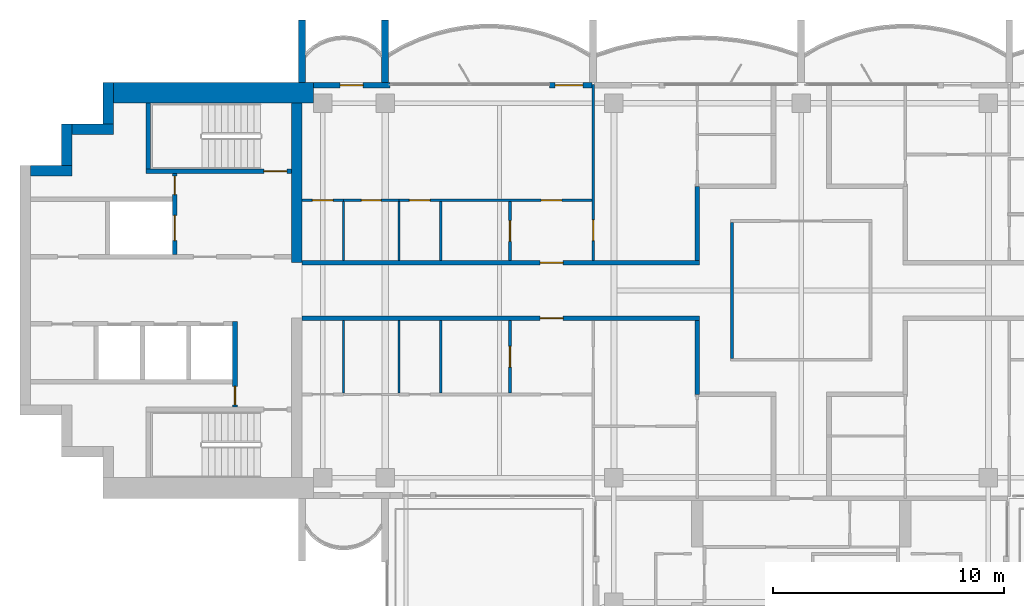
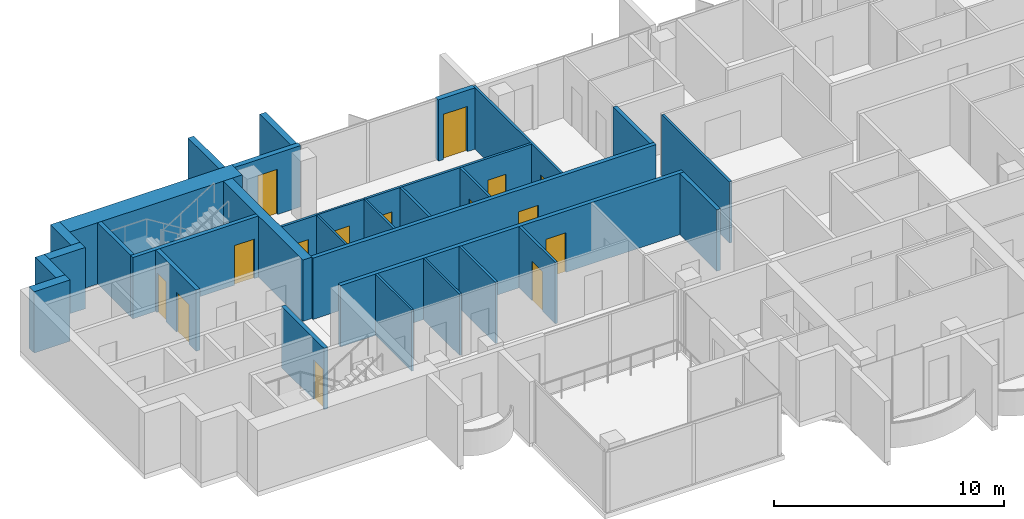
# One storey, part 8 of 16: 31 walls, 15 doors, 15 openings.
"""IFC4 building model written with IfcOpenShell, lengths in metres."""

import ifcopenshell
import ifcopenshell.guid

model = None  # the IFC model being written
_history = None  # IfcOwnerHistory: only IFC2X3 demands one
_inside = {}  # id of a spatial element -> (the spatial element, [elements in it])
_under = {}  # id of a project, library or spatial element -> (it, [spatial elements below it])
_declared = {}  # id of a project -> (the project, [libraries it declares])
_typed = {}  # id of a type object -> (the type object, [elements of that type])
_made_of = {}  # id of a material, layer set ... -> (it, [elements and type objects made of it])


def new_model(schema):
    """Start an empty IFC model of exactly this schema.

    Asked for "IFC4X3", IfcOpenShell would pick the latest addendum, in which some entities
    have other attributes; the version numbers below select the first issue.
    IFC2X3 requires an IfcOwnerHistory on every rooted entity: one is made here for all.
    """
    global model, _history
    if schema == "IFC4X3":
        model = ifcopenshell.file(schema_version=(4, 3, 0, 0))
    else:
        model = ifcopenshell.file(schema=schema)
    _inside.clear()
    _under.clear()
    _declared.clear()
    _typed.clear()
    _made_of.clear()
    _history = None
    if model.schema == "IFC2X3":
        org = make("IfcOrganization", Name="unknown")
        user = make(
            "IfcPersonAndOrganization",
            ThePerson=make("IfcPerson", FamilyName="unknown"),
            TheOrganization=org,
        )
        app = make(
            "IfcApplication",
            ApplicationDeveloper=org,
            Version="unknown",
            ApplicationFullName="unknown",
            ApplicationIdentifier="unknown",
        )
        _history = make(
            "IfcOwnerHistory",
            OwningUser=user,
            OwningApplication=app,
            ChangeAction="ADDED",
            CreationDate=0,
        )
    return model


def make(cls, **values):
    """One entity of the class cls with the attributes given. An attribute that is None is left unset."""
    return model.create_entity(
        cls, **{name: value for name, value in values.items() if value is not None}
    )


def rooted(cls, **values):
    """An entity with a GlobalId (a new one), such as an element, a storey or a relation."""
    return make(cls, GlobalId=ifcopenshell.guid.new(), OwnerHistory=_history, **values)


def si_unit(unit_type, name, prefix=None):
    """IfcSIUnit, for example si_unit("LENGTHUNIT", "METRE", prefix="MILLI")."""
    return make("IfcSIUnit", UnitType=unit_type, Prefix=prefix, Name=name)


def assignment(units):
    """IfcUnitAssignment: the units of a project."""
    return None if units is None else make("IfcUnitAssignment", Units=units)


def point(xyz):
    """IfcCartesianPoint."""
    return None if xyz is None else make("IfcCartesianPoint", Coordinates=xyz)


def direction(xyz):
    """IfcDirection."""
    return None if xyz is None else make("IfcDirection", DirectionRatios=xyz)


def frame(location, z_axis=None, x_axis=None):
    """IfcAxis2Placement3D, a coordinate frame: its origin and axes. An axis left out is left unset."""
    return make(
        "IfcAxis2Placement3D",
        Location=point(location),
        Axis=direction(z_axis),
        RefDirection=direction(x_axis),
    )


def frame_2d(location, x_axis=None):
    """IfcAxis2Placement2D, a coordinate frame in the plane: its origin and x axis."""
    return make(
        "IfcAxis2Placement2D", Location=point(location), RefDirection=direction(x_axis)
    )


def origin():
    """The frame at (0, 0, 0) with its axes left unset."""
    return frame((0.0, 0.0, 0.0))


def place(relative_to, where):
    """IfcLocalPlacement: puts the frame where relative to a parent placement (None: the world)."""
    return make(
        "IfcLocalPlacement", PlacementRelTo=relative_to, RelativePlacement=where
    )


def context(
    kind, dimensions, precision=None, world=None, true_north=None, identifier=None
):
    """IfcGeometricRepresentationContext, for example the 3D "Model" context."""
    return make(
        "IfcGeometricRepresentationContext",
        ContextIdentifier=identifier,
        ContextType=kind,
        CoordinateSpaceDimension=dimensions,
        Precision=precision,
        WorldCoordinateSystem=world,
        TrueNorth=true_north,
    )


def subcontext(parent, identifier, kind, view, scale=None):
    """IfcGeometricRepresentationSubContext, for example "Body" below "Model"."""
    return make(
        "IfcGeometricRepresentationSubContext",
        ContextIdentifier=identifier,
        ContextType=kind,
        ParentContext=parent,
        TargetScale=scale,
        TargetView=view,
    )


def project(units=None, contexts=None):
    """IfcProject with its units and contexts."""
    return rooted(
        "IfcProject",
        Name="project",
        RepresentationContexts=contexts,
        UnitsInContext=assignment(units),
    )


def spatial(cls, under=None, at=None, **own):
    """A site, building, storey or space (cls), placed at a placement, below another one or the project."""
    s = rooted(cls, ObjectPlacement=at, **own)
    if under is not None:
        _under.setdefault(under.id(), (under, []))[1].append(s)
    return s


def profile(cls, at=None, kind="AREA", **sizes):
    """A parametric profile (cls). Its sizes go by their IFC names, for example OverallWidth=200.0."""
    return make(cls, ProfileType=kind, Position=at, **sizes)


def rectangle(**sizes):
    """IfcRectangleProfileDef."""
    return profile("IfcRectangleProfileDef", **sizes)


def extrude(swept, where, along, depth):
    """IfcExtrudedAreaSolid: the profile swept, set in the frame where, extruded along a direction by depth."""
    return make(
        "IfcExtrudedAreaSolid",
        SweptArea=swept,
        Position=where,
        ExtrudedDirection=direction(along),
        Depth=depth,
    )


def shape(context_of_items, identifier, shape_type, items):
    """IfcShapeRepresentation: the items that make up one representation, for example the "Body"."""
    return make(
        "IfcShapeRepresentation",
        ContextOfItems=context_of_items,
        RepresentationIdentifier=identifier,
        RepresentationType=shape_type,
        Items=items,
    )


def material(Name=None, Category=None):
    """IfcMaterial."""
    return make("IfcMaterial", Name=Name, Category=Category)


def layer(
    of_material, thickness, ventilated=None, Name=None, Category=None, Priority=None
):
    """IfcMaterialLayer: one layer of a wall or slab, of a material (None: an air gap)."""
    return make(
        "IfcMaterialLayer",
        Material=of_material,
        LayerThickness=thickness,
        IsVentilated=ventilated,
        Name=Name,
        Category=Category,
        Priority=Priority,
    )


def layer_set(layers, Name=None):
    """IfcMaterialLayerSet."""
    return make("IfcMaterialLayerSet", MaterialLayers=layers, LayerSetName=Name)


def made_of(thing, what):
    """Note that an element or type object is made of a material, layer set ...; save() writes the relation."""
    if what is not None:
        _made_of.setdefault(what.id(), (what, []))[1].append(thing)
    return thing


def type_object(cls, material=None, **own):
    """A type object (cls), such as IfcWallType, which elements share."""
    return made_of(rooted(cls, **own), material)


def element(
    cls,
    number,
    at=None,
    inside=None,
    cuts=None,
    type_object=None,
    material=None,
    context=None,
    identifier="Body",
    shape_type=None,
    held_by="IfcProductDefinitionShape",
    body=None,
    shapes=None,
    **own,
):
    """One element of the class cls, such as IfcWall. Its Tag is "e" and its number.

    at: its placement. inside: the storey or other place that contains it. cuts: it is an
    opening in that element (IfcRelVoidsElement). A single representation is given by context,
    identifier, shape_type and body (its items); several are given by shapes. held_by: the class
    of the entity that holds the representations. save() writes the other relations.
    """
    e = rooted(cls, Tag="e%d" % number, ObjectPlacement=at, **own)
    if body is not None:
        shapes = [shape(context, identifier, shape_type, body)]
    if shapes is not None:
        e.Representation = make(held_by, Representations=shapes)
    if inside is not None:
        _inside.setdefault(inside.id(), (inside, []))[1].append(e)
    if cuts is not None:
        rooted(
            "IfcRelVoidsElement", RelatingBuildingElement=cuts, RelatedOpeningElement=e
        )
    if type_object is not None:
        _typed.setdefault(type_object.id(), (type_object, []))[1].append(e)
    return made_of(e, material)


def fill(opening, filler):
    """IfcRelFillsElement: the door or window that sits in an opening."""
    return rooted(
        "IfcRelFillsElement",
        RelatingOpeningElement=opening,
        RelatedBuildingElement=filler,
    )


def aggregate(whole, parts):
    """IfcRelAggregates: a whole, such as a stair, and the parts it consists of."""
    return rooted("IfcRelAggregates", RelatingObject=whole, RelatedObjects=parts)


def save(model, path):
    """Write the relations noted so far, then the file.

    IfcRelAggregates (storeys below a building ...), IfcRelContainedInSpatialStructure (elements
    in a storey), IfcRelDefinesByType, IfcRelAssociatesMaterial and IfcRelDeclares: one each for
    every whole, place, type object, material and project.
    """
    for whole, parts in _under.values():
        aggregate(whole, parts)
    for where, things in _inside.values():
        rooted(
            "IfcRelContainedInSpatialStructure",
            RelatedElements=things,
            RelatingStructure=where,
        )
    for kind, things in _typed.values():
        rooted("IfcRelDefinesByType", RelatedObjects=things, RelatingType=kind)
    for what, things in _made_of.values():
        rooted("IfcRelAssociatesMaterial", RelatedObjects=things, RelatingMaterial=what)
    for by, libraries in _declared.values():
        rooted("IfcRelDeclares", RelatingContext=by, RelatedDefinitions=libraries)
    model.write(path)


model = new_model("IFC4")

# Units and contexts
model_context = context("Model", 3, precision=1e-05, world=origin(), true_north=direction((0.0, 1.0)))
body_context = subcontext(model_context, "Body", "Model", "MODEL_VIEW")
ifc_project = project(units=[si_unit("LENGTHUNIT", "METRE"), si_unit("AREAUNIT", "SQUARE_METRE"), si_unit("VOLUMEUNIT", "CUBIC_METRE"), si_unit("PLANEANGLEUNIT", "RADIAN"), si_unit("MASSUNIT", "GRAM", prefix="KILO")], contexts=[model_context])

# Site, building, storey
site_placement = place(None, origin())
site = spatial("IfcSite", under=ifc_project, at=site_placement, CompositionType="ELEMENT")
building_placement = place(site_placement, origin())
building = spatial("IfcBuilding", under=site, at=building_placement, Name="Perihelion Cross Residences", CompositionType="ELEMENT")
storey_placement = place(building_placement, frame((0.0, 0.0, 274.5)))
storey = spatial("IfcBuildingStorey", under=building, at=storey_placement, Name="L70", CompositionType="ELEMENT", Elevation=274.5)

# Wall, opening, door
ifc_material_1 = material(Name="Plasterboard partition")
ifc_layer_1 = layer(ifc_material_1, 0.199951171875)
ifc_layer_set_1 = layer_set([ifc_layer_1], Name="Apartment separation wall 200")
wall_type_1 = type_object("IfcWallType", Name="Apartment separation wall 200", PredefinedType="PARTITIONING", material=ifc_layer_set_1)
wall_1_placement = place(storey_placement, frame((-21.60009765625, 1.199951171875, 0.0), z_axis=(0.0, 0.0, 1.0), x_axis=(1.0, 0.0, 0.0)))
wall_1 = element("IfcWall", 1, at=wall_1_placement, inside=storey, type_object=wall_type_1, Name="Partition L70 W013", PredefinedType="PARTITIONING", context=body_context, shape_type="SweptSolid", body=[
    extrude(rectangle(XDim=17.2001953125, YDim=0.199951171875, at=frame_2d((8.60009765625, 0.0))), origin(), (0.0, 0.0, 1.0), 3.25),
])
opening_1_placement = place(wall_1_placement, frame((10.300048828125, 0.0, 0.0)))
opening_1 = element("IfcOpeningElement", 2, at=opening_1_placement, cuts=wall_1, Name="Opening L70.A44", PredefinedType="OPENING", context=body_context, shape_type="SweptSolid", body=[
    extrude(rectangle(XDim=1.0, YDim=2.10009765625, at=frame_2d((0.5, 1.050048828125))), frame((0.0, 0.10986328125, 0.0), z_axis=(0.0, -1.0, 0.0), x_axis=(1.0, 0.0, 0.0)), (0.0, 0.0, 1.0), 0.219970703125),
])
ifc_material_2 = material(Name="Timber door leaf", Category="wood")
door_type_1 = type_object("IfcDoorType", Name="Flat entrance door 1000 x 2100", OperationType="SINGLE_SWING_LEFT", PredefinedType="DOOR", material=ifc_material_2)
door_1_placement = place(opening_1_placement, origin())
door_1 = element("IfcDoor", 3, at=door_1_placement, inside=storey, type_object=door_type_1, Name="Door L70.A44", OperationType="SINGLE_SWING_RIGHT", OverallHeight=2.10009765625, OverallWidth=1.0, PredefinedType="DOOR", context=body_context, shape_type="SweptSolid", body=[
    extrude(rectangle(XDim=1.0, YDim=2.10009765625, at=frame_2d((0.5, 1.050048828125))), frame((0.0, 0.02490234375, 0.0), z_axis=(0.0, -1.0, 0.0), x_axis=(1.0, 0.0, 0.0)), (0.0, 0.0, 1.0), 0.050048828125),
])
fill(opening_1, door_1)

# Wall
wall_2_placement = place(storey_placement, frame((-4.5, 1.300048828125, 0.0), z_axis=(0.0, 0.0, 1.0), x_axis=(0.0, 1.0, 0.0)))
element("IfcWall", 4, at=wall_2_placement, inside=storey, type_object=wall_type_1, Name="Partition L70 W014", PredefinedType="PARTITIONING", context=body_context, shape_type="SweptSolid", body=[
    extrude(rectangle(XDim=3.199951171875, YDim=0.199951171875, at=frame_2d((1.60009765625, 0.0))), origin(), (0.0, 0.0, 1.0), 3.25),
])

# Wall, opening, door
wall_3_placement = place(storey_placement, frame((-4.39990234375, -1.199951171875, 0.0), z_axis=(0.0, 0.0, 1.0), x_axis=(-1.0, 0.0, 0.0)))
wall_3 = element("IfcWall", 5, at=wall_3_placement, inside=storey, type_object=wall_type_1, Name="Partition L70 W017", PredefinedType="PARTITIONING", context=body_context, shape_type="SweptSolid", body=[
    extrude(rectangle(XDim=17.2001953125, YDim=0.199951171875, at=frame_2d((8.60009765625, 0.0))), origin(), (0.0, 0.0, 1.0), 3.25),
])
opening_2_placement = place(wall_3_placement, frame((5.89990234375, 0.0, 0.0)))
opening_2 = element("IfcOpeningElement", 6, at=opening_2_placement, cuts=wall_3, Name="Opening L70.A45", PredefinedType="OPENING", context=body_context, shape_type="SweptSolid", body=[
    extrude(rectangle(XDim=1.0, YDim=2.10009765625, at=frame_2d((0.5, 1.050048828125))), frame((0.0, 0.10986328125, 0.0), z_axis=(0.0, -1.0, 0.0), x_axis=(1.0, 0.0, 0.0)), (0.0, 0.0, 1.0), 0.219970703125),
])
door_2_placement = place(opening_2_placement, origin())
door_2 = element("IfcDoor", 7, at=door_2_placement, inside=storey, type_object=door_type_1, Name="Door L70.A45", OperationType="SINGLE_SWING_RIGHT", OverallHeight=2.10009765625, OverallWidth=1.0, PredefinedType="DOOR", context=body_context, shape_type="SweptSolid", body=[
    extrude(rectangle(XDim=1.0, YDim=2.10009765625, at=frame_2d((0.5, 1.050048828125))), frame((0.0, 0.02490234375, 0.0), z_axis=(0.0, -1.0, 0.0), x_axis=(1.0, 0.0, 0.0)), (0.0, 0.0, 1.0), 0.050048828125),
])
fill(opening_2, door_2)

# Wall
wall_4_placement = place(storey_placement, frame((-4.5, -4.5, 0.0), z_axis=(0.0, 0.0, 1.0), x_axis=(0.0, 1.0, 0.0)))
element("IfcWall", 8, at=wall_4_placement, inside=storey, type_object=wall_type_1, Name="Partition L70 W018", PredefinedType="PARTITIONING", context=body_context, shape_type="SweptSolid", body=[
    extrude(rectangle(XDim=3.199951171875, YDim=0.199951171875, at=frame_2d((1.60009765625, 0.0))), origin(), (0.0, 0.0, 1.0), 3.25),
])

# Wall, opening, door
ifc_material_3 = material(Name="Concrete C30/37, bronze-clad", Category="concrete")
ifc_layer_2 = layer(ifc_material_3, 0.25)
ifc_layer_set_2 = layer_set([ifc_layer_2], Name="Bronze-clad pier wall 250")
wall_type_2 = type_object("IfcWallType", Name="Bronze-clad pier wall 250", PredefinedType="SOLIDWALL", material=ifc_layer_set_2)
wall_5_placement = place(storey_placement, frame((-9.06005859375, 8.875, 0.0), z_axis=(0.0, 0.0, 1.0), x_axis=(-1.0, 0.0, 0.0)))
wall_5 = element("IfcWall", 9, at=wall_5_placement, inside=storey, type_object=wall_type_2, Name="Wall FW1 L70 west side north bay 1 pier", PredefinedType="SOLIDWALL", context=body_context, shape_type="SweptSolid", body=[
    extrude(rectangle(XDim=1.83984375, YDim=0.25, at=frame_2d((0.919921875, 0.0))), origin(), (0.0, 0.0, 1.0), 3.25),
])
opening_3_placement = place(wall_5_placement, frame((0.389892578125, 0.0, 0.0)))
opening_3 = element("IfcOpeningElement", 10, at=opening_3_placement, cuts=wall_5, Name="Opening L70.E05", PredefinedType="OPENING", context=body_context, shape_type="SweptSolid", body=[
    extrude(rectangle(XDim=1.199951171875, YDim=2.39990234375, at=frame_2d((0.60009765625, 1.199951171875))), frame((0.0, 0.135009765625, 0.0), z_axis=(0.0, -1.0, 0.0), x_axis=(1.0, 0.0, 0.0)), (0.0, 0.0, 1.0), 0.27001953125),
])
ifc_material_4 = material(Name="Bronze anodised aluminium, glazed", Category="aluminium")
door_type_2 = type_object("IfcDoorType", Name="Balcony door 1200 x 2400", OperationType="NOTDEFINED", PredefinedType="DOOR", material=ifc_material_4)
door_3_placement = place(opening_3_placement, origin())
door_3 = element("IfcDoor", 11, at=door_3_placement, inside=storey, type_object=door_type_2, Name="Door L70.E05 west side north bay 1", OperationType="SINGLE_SWING_LEFT", OverallHeight=2.39990234375, OverallWidth=1.199951171875, PredefinedType="DOOR", context=body_context, shape_type="SweptSolid", body=[
    extrude(rectangle(XDim=1.199951171875, YDim=2.39990234375, at=frame_2d((0.60009765625, 1.199951171875))), frame((0.0, 0.02490234375, 0.0), z_axis=(0.0, -1.0, 0.0), x_axis=(1.0, 0.0, 0.0)), (0.0, 0.0, 1.0), 0.050048828125),
])
fill(opening_3, door_3)

wall_6_placement = place(storey_placement, frame((-17.800048828125, 8.875, 0.0), z_axis=(0.0, 0.0, 1.0), x_axis=(-1.0, 0.0, 0.0)))
wall_6 = element("IfcWall", 12, at=wall_6_placement, inside=storey, type_object=wall_type_2, Name="Wall FW1 L70 west side north bay 2 pier", PredefinedType="SOLIDWALL", context=body_context, shape_type="SweptSolid", body=[
    extrude(rectangle(XDim=3.300048828125, YDim=0.25, at=frame_2d((1.64990234375, 0.0))), origin(), (0.0, 0.0, 1.0), 3.25),
])
opening_4_placement = place(wall_6_placement, frame((1.14990234375, 0.0, 0.0)))
opening_4 = element("IfcOpeningElement", 13, at=opening_4_placement, cuts=wall_6, Name="Opening L70.E06", PredefinedType="OPENING", context=body_context, shape_type="SweptSolid", body=[
    extrude(rectangle(XDim=1.0, YDim=2.39990234375, at=frame_2d((0.5, 1.199951171875))), frame((0.0, 0.135009765625, 0.0), z_axis=(0.0, -1.0, 0.0), x_axis=(1.0, 0.0, 0.0)), (0.0, 0.0, 1.0), 0.27001953125),
])
ifc_material_5 = material(Name="Bronze anodised aluminium, glazed", Category="aluminium")
door_type_3 = type_object("IfcDoorType", Name="Balcony door 1000 x 2400", OperationType="NOTDEFINED", PredefinedType="DOOR", material=ifc_material_5)
door_4_placement = place(opening_4_placement, origin())
door_4 = element("IfcDoor", 14, at=door_4_placement, inside=storey, type_object=door_type_3, Name="Door L70.E06 west side north bay 2", OperationType="SINGLE_SWING_RIGHT", OverallHeight=2.39990234375, OverallWidth=1.0, PredefinedType="DOOR", context=body_context, shape_type="SweptSolid", body=[
    extrude(rectangle(XDim=1.0, YDim=2.39990234375, at=frame_2d((0.5, 1.199951171875))), frame((0.0, 0.02490234375, 0.0), z_axis=(0.0, -1.0, 0.0), x_axis=(1.0, 0.0, 0.0)), (0.0, 0.0, 1.0), 0.050048828125),
])
fill(opening_4, door_4)

# Walls
ifc_material_6 = material(Name="Concrete C60/75", Category="concrete")
ifc_layer_3 = layer(ifc_material_6, 0.449951171875)
ifc_layer_set_3 = layer_set([ifc_layer_3], Name="Core wall, inner 450")
wall_type_3 = type_object("IfcWallType", Name="Core wall, inner 450", PredefinedType="SHEAR", material=ifc_layer_set_3)
wall_7_placement = place(storey_placement, frame((-21.824951171875, 1.199951171875, 0.0), z_axis=(0.0, 0.0, 1.0), x_axis=(0.0, 1.0, 0.0)))
element("IfcWall", 15, at=wall_7_placement, inside=storey, type_object=wall_type_3, Name="West core core wall, inner", PredefinedType="SHEAR", context=body_context, shape_type="SweptSolid", body=[
    extrude(rectangle(XDim=6.900146484375, YDim=0.449951171875, at=frame_2d((3.4501953125, 0.0))), origin(), (0.0, 0.0, 1.0), 3.25),
])
ifc_material_7 = material(Name="Concrete C60/75", Category="concrete")
ifc_layer_4 = layer(ifc_material_7, 0.449951171875)
ifc_layer_set_4 = layer_set([ifc_layer_4], Name="Core wall, outer 450")
wall_type_4 = type_object("IfcWallType", Name="Core wall, outer 450", PredefinedType="SHEAR", material=ifc_layer_set_4)
for number, where, z_axis, x_axis, name in (
    (16, (-33.35009765625, 5.175048828125, 0.0), (0.0, 0.0, 1.0), (1.0, 0.0, 0.0), "West core core wall, outer"),
    (17, (-31.77490234375, 5.39990234375, 0.0), (0.0, 0.0, 1.0), (0.0, 1.0, 0.0), "West core core wall, outer"),
    (18, (-31.550048828125, 6.97509765625, 0.0), (0.0, 0.0, 1.0), (1.0, 0.0, 0.0), "West core core wall, outer"),
    (19, (-29.97509765625, 7.199951171875, 0.0), (0.0, 0.0, 1.0), (0.0, 1.0, 0.0), "West core core wall, outer"),
):
    element("IfcWall", number, at=place(storey_placement, frame(where, z_axis=z_axis, x_axis=x_axis)), inside=storey, type_object=wall_type_4, Name=name, PredefinedType="SHEAR", context=body_context, shape_type="SweptSolid", body=[
        extrude(rectangle(XDim=1.800048828125, YDim=0.449951171875, at=frame_2d((0.89990234375, 0.0))), origin(), (0.0, 0.0, 1.0), 3.25),
    ])
ifc_material_8 = material(Name="Concrete C60/75", Category="concrete")
ifc_layer_5 = layer(ifc_material_8, 0.89990234375)
ifc_layer_set_5 = layer_set([ifc_layer_5], Name="Core wall, outer 900")
wall_type_5 = type_object("IfcWallType", Name="Core wall, outer 900", PredefinedType="SHEAR", material=ifc_layer_set_5)
wall_8_placement = place(storey_placement, frame((-29.75, 8.550048828125, 0.0), z_axis=(0.0, 0.0, 1.0), x_axis=(1.0, 0.0, 0.0)))
element("IfcWall", 20, at=wall_8_placement, inside=storey, type_object=wall_type_5, Name="West core core wall, outer", PredefinedType="SHEAR", context=body_context, shape_type="SweptSolid", body=[
    extrude(rectangle(XDim=8.64990234375, YDim=0.89990234375, at=frame_2d((4.324951171875, 0.0))), origin(), (0.0, 0.0, 1.0), 3.25),
])

# Wall, opening, door
ifc_material_9 = material(Name="Concrete C50/60", Category="concrete")
ifc_layer_6 = layer(ifc_material_9, 0.199951171875)
ifc_layer_set_6 = layer_set([ifc_layer_6], Name="Lobby wall 200")
wall_type_6 = type_object("IfcWallType", Name="Lobby wall 200", PredefinedType="SOLIDWALL", material=ifc_layer_set_6)
wall_9_placement = place(storey_placement, frame((-24.5, -5.050048828125, 0.0), z_axis=(0.0, 0.0, 1.0), x_axis=(0.0, 1.0, 0.0)))
wall_9 = element("IfcWall", 21, at=wall_9_placement, inside=storey, type_object=wall_type_6, Name="West core lobby wall", PredefinedType="SOLIDWALL", context=body_context, shape_type="SweptSolid", body=[
    extrude(rectangle(XDim=3.699951171875, YDim=0.199951171875, at=frame_2d((1.85009765625, 0.0))), origin(), (0.0, 0.0, 1.0), 3.25),
])
opening_5_placement = place(wall_9_placement, frame((0.10009765625, 0.0, 0.0)))
opening_5 = element("IfcOpeningElement", 22, at=opening_5_placement, cuts=wall_9, Name="Opening L70.C20", PredefinedType="OPENING", context=body_context, shape_type="SweptSolid", body=[
    extrude(rectangle(XDim=0.800048828125, YDim=2.10009765625, at=frame_2d((0.39990234375, 1.050048828125))), frame((0.0, 0.10986328125, 0.0), z_axis=(0.0, -1.0, 0.0), x_axis=(1.0, 0.0, 0.0)), (0.0, 0.0, 1.0), 0.219970703125),
])
ifc_material_10 = material(Name="Steel, powder coated", Category="steel")
door_type_4 = type_object("IfcDoorType", Name="Riser door 800", OperationType="SINGLE_SWING_LEFT", PredefinedType="DOOR", material=ifc_material_10)
door_5_placement = place(opening_5_placement, origin())
door_5 = element("IfcDoor", 23, at=door_5_placement, inside=storey, type_object=door_type_4, Name="West core riser door", OperationType="SINGLE_SWING_LEFT", OverallHeight=2.10009765625, OverallWidth=0.800048828125, PredefinedType="DOOR", context=body_context, shape_type="SweptSolid", body=[
    extrude(rectangle(XDim=0.800048828125, YDim=2.10009765625, at=frame_2d((0.39990234375, 1.050048828125))), frame((0.0, 0.02490234375, 0.0), z_axis=(0.0, -1.0, 0.0), x_axis=(1.0, 0.0, 0.0)), (0.0, 0.0, 1.0), 0.050048828125),
])
fill(opening_5, door_5)

# Wall
ifc_material_11 = material(Name="Plasterboard partition")
ifc_layer_7 = layer(ifc_material_11, 0.1201171875)
ifc_layer_set_7 = layer_set([ifc_layer_7], Name="Partition wall 120")
wall_type_7 = type_object("IfcWallType", Name="Partition wall 120", PredefinedType="PARTITIONING", material=ifc_layer_set_7)
wall_10_placement = place(storey_placement, frame((-3.0, 2.93994140625, 0.0), z_axis=(0.0, 0.0, 1.0), x_axis=(0.0, -1.0, 0.0)))
element("IfcWall", 24, at=wall_10_placement, inside=storey, type_object=wall_type_7, Name="Partition L70 W004", PredefinedType="PARTITIONING", context=body_context, shape_type="SweptSolid", body=[
    extrude(rectangle(XDim=5.8798828125, YDim=0.1201171875, at=frame_2d((2.93994140625, 0.0))), origin(), (0.0, 0.0, 1.0), 3.25),
])

# Wall, opening, door
wall_11_placement = place(storey_placement, frame((-12.60009765625, 1.300048828125, 0.0), z_axis=(0.0, 0.0, 1.0), x_axis=(0.0, 1.0, 0.0)))
wall_11 = element("IfcWall", 25, at=wall_11_placement, inside=storey, type_object=wall_type_7, Name="Partition L70 W046", PredefinedType="PARTITIONING", context=body_context, shape_type="SweptSolid", body=[
    extrude(rectangle(XDim=2.5400390625, YDim=0.1201171875, at=frame_2d((1.27001953125, 0.0))), origin(), (0.0, 0.0, 1.0), 3.25),
])
opening_6_placement = place(wall_11_placement, frame((0.820068359375, 0.0, 0.0)))
opening_6 = element("IfcOpeningElement", 26, at=opening_6_placement, cuts=wall_11, Name="Opening L70.A21", PredefinedType="OPENING", context=body_context, shape_type="SweptSolid", body=[
    extrude(rectangle(XDim=0.89990234375, YDim=2.10009765625, at=frame_2d((0.449951171875, 1.050048828125))), frame((0.0, 0.070068359375, 0.0), z_axis=(0.0, -1.0, 0.0), x_axis=(1.0, 0.0, 0.0)), (0.0, 0.0, 1.0), 0.14013671875),
])
ifc_material_12 = material(Name="Timber door leaf", Category="wood")
door_type_5 = type_object("IfcDoorType", Name="Interior room door 900 x 2100", OperationType="SINGLE_SWING_LEFT", PredefinedType="DOOR", material=ifc_material_12)
door_6_placement = place(opening_6_placement, origin())
door_6 = element("IfcDoor", 27, at=door_6_placement, inside=storey, type_object=door_type_5, Name="Door L70.A21", OperationType="SINGLE_SWING_LEFT", OverallHeight=2.10009765625, OverallWidth=0.89990234375, PredefinedType="DOOR", context=body_context, shape_type="SweptSolid", body=[
    extrude(rectangle(XDim=0.89990234375, YDim=2.10009765625, at=frame_2d((0.449951171875, 1.050048828125))), frame((0.0, 0.02490234375, 0.0), z_axis=(0.0, -1.0, 0.0), x_axis=(1.0, 0.0, 0.0)), (0.0, 0.0, 1.0), 0.050048828125),
])
fill(opening_6, door_6)

# Wall, openings, doors
wall_12_placement = place(storey_placement, frame((-17.39990234375, 3.89990234375, 0.0), z_axis=(0.0, 0.0, 1.0), x_axis=(1.0, 0.0, 0.0)))
wall_12 = element("IfcWall", 28, at=wall_12_placement, inside=storey, type_object=wall_type_7, Name="Partition L70 W047", PredefinedType="PARTITIONING", context=body_context, shape_type="SweptSolid", body=[
    extrude(rectangle(XDim=8.4599609375, YDim=0.1201171875, at=frame_2d((4.22998046875, 0.0))), origin(), (0.0, 0.0, 1.0), 3.25),
])
opening_7_placement = place(wall_12_placement, frame((0.449951171875, 0.0, 0.0)))
opening_7 = element("IfcOpeningElement", 29, at=opening_7_placement, cuts=wall_12, Name="Opening L70.A22", PredefinedType="OPENING", context=body_context, shape_type="SweptSolid", body=[
    extrude(rectangle(XDim=0.89990234375, YDim=2.10009765625, at=frame_2d((0.449951171875, 1.050048828125))), frame((0.0, 0.070068359375, 0.0), z_axis=(0.0, -1.0, 0.0), x_axis=(1.0, 0.0, 0.0)), (0.0, 0.0, 1.0), 0.14013671875),
])
opening_8_placement = place(wall_12_placement, frame((6.14990234375, 0.0, 0.0)))
opening_8 = element("IfcOpeningElement", 30, at=opening_8_placement, cuts=wall_12, Name="Opening L70.A26", PredefinedType="OPENING", context=body_context, shape_type="SweptSolid", body=[
    extrude(rectangle(XDim=0.89990234375, YDim=2.10009765625, at=frame_2d((0.449951171875, 1.050048828125))), frame((0.0, 0.070068359375, 0.0), z_axis=(0.0, -1.0, 0.0), x_axis=(1.0, 0.0, 0.0)), (0.0, 0.0, 1.0), 0.14013671875),
])
door_7_placement = place(opening_7_placement, origin())
door_7 = element("IfcDoor", 31, at=door_7_placement, inside=storey, type_object=door_type_5, Name="Door L70.A22", OperationType="SINGLE_SWING_RIGHT", OverallHeight=2.10009765625, OverallWidth=0.89990234375, PredefinedType="DOOR", context=body_context, shape_type="SweptSolid", body=[
    extrude(rectangle(XDim=0.89990234375, YDim=2.10009765625, at=frame_2d((0.449951171875, 1.050048828125))), frame((0.0, 0.02490234375, 0.0), z_axis=(0.0, -1.0, 0.0), x_axis=(1.0, 0.0, 0.0)), (0.0, 0.0, 1.0), 0.050048828125),
])
fill(opening_7, door_7)
door_8_placement = place(opening_8_placement, origin())
door_8 = element("IfcDoor", 32, at=door_8_placement, inside=storey, type_object=door_type_5, Name="Door L70.A26", OperationType="SINGLE_SWING_RIGHT", OverallHeight=2.10009765625, OverallWidth=0.89990234375, PredefinedType="DOOR", context=body_context, shape_type="SweptSolid", body=[
    extrude(rectangle(XDim=0.89990234375, YDim=2.10009765625, at=frame_2d((0.449951171875, 1.050048828125))), frame((0.0, 0.02490234375, 0.0), z_axis=(0.0, -1.0, 0.0), x_axis=(1.0, 0.0, 0.0)), (0.0, 0.0, 1.0), 0.050048828125),
])
fill(opening_8, door_8)

# Wall, opening, door
wall_13_placement = place(storey_placement, frame((-9.0, 8.919921875, 0.0), z_axis=(0.0, 0.0, 1.0), x_axis=(0.0, -1.0, 0.0)))
wall_13 = element("IfcWall", 33, at=wall_13_placement, inside=storey, type_object=wall_type_7, Name="Partition L70 W048", PredefinedType="PARTITIONING", context=body_context, shape_type="SweptSolid", body=[
    extrude(rectangle(XDim=7.619873046875, YDim=0.1201171875, at=frame_2d((3.81005859375, 0.0))), origin(), (0.0, 0.0, 1.0), 3.25),
])
opening_9_placement = place(wall_13_placement, frame((5.8701171875, 0.0, 0.0)))
opening_9 = element("IfcOpeningElement", 34, at=opening_9_placement, cuts=wall_13, Name="Opening L70.A24", PredefinedType="OPENING", context=body_context, shape_type="SweptSolid", body=[
    extrude(rectangle(XDim=0.89990234375, YDim=2.10009765625, at=frame_2d((0.449951171875, 1.050048828125))), frame((0.0, 0.070068359375, 0.0), z_axis=(0.0, -1.0, 0.0), x_axis=(1.0, 0.0, 0.0)), (0.0, 0.0, 1.0), 0.14013671875),
])
door_9_placement = place(opening_9_placement, origin())
door_9 = element("IfcDoor", 35, at=door_9_placement, inside=storey, type_object=door_type_5, Name="Door L70.A24", OperationType="SINGLE_SWING_RIGHT", OverallHeight=2.10009765625, OverallWidth=0.89990234375, PredefinedType="DOOR", context=body_context, shape_type="SweptSolid", body=[
    extrude(rectangle(XDim=0.89990234375, YDim=2.10009765625, at=frame_2d((0.449951171875, 1.050048828125))), frame((0.0, 0.02490234375, 0.0), z_axis=(0.0, -1.0, 0.0), x_axis=(1.0, 0.0, 0.0)), (0.0, 0.0, 1.0), 0.050048828125),
])
fill(opening_9, door_9)

# Wall
wall_14_placement = place(storey_placement, frame((-15.60009765625, 1.300048828125, 0.0), z_axis=(0.0, 0.0, 1.0), x_axis=(0.0, 1.0, 0.0)))
element("IfcWall", 36, at=wall_14_placement, inside=storey, type_object=wall_type_7, Name="Partition L70 W049", PredefinedType="PARTITIONING", context=body_context, shape_type="SweptSolid", body=[
    extrude(rectangle(XDim=2.5400390625, YDim=0.1201171875, at=frame_2d((1.27001953125, 0.0))), origin(), (0.0, 0.0, 1.0), 3.25),
])

# Wall, opening, door
wall_15_placement = place(storey_placement, frame((-21.60009765625, 3.89990234375, 0.0), z_axis=(0.0, 0.0, 1.0), x_axis=(1.0, 0.0, 0.0)))
wall_15 = element("IfcWall", 37, at=wall_15_placement, inside=storey, type_object=wall_type_7, Name="Partition L70 W053", PredefinedType="PARTITIONING", context=body_context, shape_type="SweptSolid", body=[
    extrude(rectangle(XDim=1.800048828125, YDim=0.1201171875, at=frame_2d((0.89990234375, 0.0))), origin(), (0.0, 0.0, 1.0), 3.25),
])
opening_10_placement = place(wall_15_placement, frame((0.449951171875, 0.0, 0.0)))
opening_10 = element("IfcOpeningElement", 38, at=opening_10_placement, cuts=wall_15, Name="Opening L70.A20", PredefinedType="OPENING", context=body_context, shape_type="SweptSolid", body=[
    extrude(rectangle(XDim=0.89990234375, YDim=2.10009765625, at=frame_2d((0.449951171875, 1.050048828125))), frame((0.0, 0.070068359375, 0.0), z_axis=(0.0, -1.0, 0.0), x_axis=(1.0, 0.0, 0.0)), (0.0, 0.0, 1.0), 0.14013671875),
])
door_10_placement = place(opening_10_placement, origin())
door_10 = element("IfcDoor", 39, at=door_10_placement, inside=storey, type_object=door_type_5, Name="Door L70.A20", OperationType="SINGLE_SWING_LEFT", OverallHeight=2.10009765625, OverallWidth=0.89990234375, PredefinedType="DOOR", context=body_context, shape_type="SweptSolid", body=[
    extrude(rectangle(XDim=0.89990234375, YDim=2.10009765625, at=frame_2d((0.449951171875, 1.050048828125))), frame((0.0, 0.02490234375, 0.0), z_axis=(0.0, -1.0, 0.0), x_axis=(1.0, 0.0, 0.0)), (0.0, 0.0, 1.0), 0.050048828125),
])
fill(opening_10, door_10)

wall_16_placement = place(storey_placement, frame((-12.60009765625, -4.43994140625, 0.0), z_axis=(0.0, 0.0, 1.0), x_axis=(0.0, 1.0, 0.0)))
wall_16 = element("IfcWall", 40, at=wall_16_placement, inside=storey, type_object=wall_type_7, Name="Partition L70 W057", PredefinedType="PARTITIONING", context=body_context, shape_type="SweptSolid", body=[
    extrude(rectangle(XDim=3.139892578125, YDim=0.1201171875, at=frame_2d((1.56982421875, 0.0))), origin(), (0.0, 0.0, 1.0), 3.25),
])
opening_11_placement = place(wall_16_placement, frame((1.1201171875, 0.0, 0.0)))
opening_11 = element("IfcOpeningElement", 41, at=opening_11_placement, cuts=wall_16, Name="Opening L70.A31", PredefinedType="OPENING", context=body_context, shape_type="SweptSolid", body=[
    extrude(rectangle(XDim=0.89990234375, YDim=2.10009765625, at=frame_2d((0.449951171875, 1.050048828125))), frame((0.0, 0.070068359375, 0.0), z_axis=(0.0, -1.0, 0.0), x_axis=(1.0, 0.0, 0.0)), (0.0, 0.0, 1.0), 0.14013671875),
])
door_11_placement = place(opening_11_placement, origin())
door_11 = element("IfcDoor", 42, at=door_11_placement, inside=storey, type_object=door_type_5, Name="Door L70.A31", OperationType="SINGLE_SWING_LEFT", OverallHeight=2.10009765625, OverallWidth=0.89990234375, PredefinedType="DOOR", context=body_context, shape_type="SweptSolid", body=[
    extrude(rectangle(XDim=0.89990234375, YDim=2.10009765625, at=frame_2d((0.449951171875, 1.050048828125))), frame((0.0, 0.02490234375, 0.0), z_axis=(0.0, -1.0, 0.0), x_axis=(1.0, 0.0, 0.0)), (0.0, 0.0, 1.0), 0.050048828125),
])
fill(opening_11, door_11)

# Walls
wall_17_placement = place(storey_placement, frame((-15.60009765625, -4.43994140625, 0.0), z_axis=(0.0, 0.0, 1.0), x_axis=(0.0, 1.0, 0.0)))
element("IfcWall", 43, at=wall_17_placement, inside=storey, type_object=wall_type_7, Name="Partition L70 W060", PredefinedType="PARTITIONING", context=body_context, shape_type="SweptSolid", body=[
    extrude(rectangle(XDim=3.139892578125, YDim=0.1201171875, at=frame_2d((1.56982421875, 0.0))), origin(), (0.0, 0.0, 1.0), 3.25),
])
ifc_material_13 = material(Name="Precast concrete C50/60", Category="concrete")
ifc_layer_8 = layer(ifc_material_13, 0.300048828125)
ifc_layer_set_8 = layer_set([ifc_layer_8], Name="Precast concrete C50/60 blade wall 300")
wall_type_8 = type_object("IfcWallType", Name="Precast concrete C50/60 blade wall 300", PredefinedType="SOLIDWALL", material=ifc_layer_set_8)
for number, where, z_axis, x_axis, name in (
    (44, (-21.60009765625, 9.0, 0.0), (0.0, 0.0, 1.0), (0.0, 1.0, 0.0), "Wall BL1 L70 no. 4"),
    (45, (-18.0, 9.0, 0.0), (0.0, 0.0, 1.0), (0.0, 1.0, 0.0), "Wall BL1 L70 no. 2"),
):
    element("IfcWall", number, at=place(storey_placement, frame(where, z_axis=z_axis, x_axis=x_axis)), inside=storey, type_object=wall_type_8, Name=name, PredefinedType="SOLIDWALL", context=body_context, shape_type="SweptSolid", body=[
        extrude(rectangle(XDim=2.699951171875, YDim=0.300048828125, at=frame_2d((1.35009765625, 0.0))), origin(), (0.0, 0.0, 1.0), 3.25),
    ])

# Wall, openings, doors
ifc_material_14 = material(Name="Concrete C50/60", Category="concrete")
ifc_layer_9 = layer(ifc_material_14, 0.199951171875)
ifc_layer_set_9 = layer_set([ifc_layer_9], Name="Shaft wall 200")
wall_type_9 = type_object("IfcWallType", Name="Shaft wall 200", PredefinedType="SOLIDWALL", material=ifc_layer_set_9)
wall_18_placement = place(storey_placement, frame((-27.10009765625, 1.550048828125, 0.0), z_axis=(0.0, 0.0, 1.0), x_axis=(0.0, 1.0, 0.0)))
wall_18 = element("IfcWall", 46, at=wall_18_placement, inside=storey, type_object=wall_type_9, Name="West core shaft wall", PredefinedType="SOLIDWALL", context=body_context, shape_type="SweptSolid", body=[
    extrude(rectangle(XDim=3.5, YDim=0.199951171875, at=frame_2d((1.75, 0.0))), origin(), (0.0, 0.0, 1.0), 3.25),
])
opening_12_placement = place(wall_18_placement, frame((0.60009765625, 0.0, 0.0)))
opening_12 = element("IfcOpeningElement", 47, at=opening_12_placement, cuts=wall_18, Name="Opening L70.C14", PredefinedType="OPENING", context=body_context, shape_type="SweptSolid", body=[
    extrude(rectangle(XDim=1.10009765625, YDim=2.10009765625, at=frame_2d((0.550048828125, 1.050048828125))), frame((0.0, 0.10986328125, 0.0), z_axis=(0.0, -1.0, 0.0), x_axis=(1.0, 0.0, 0.0)), (0.0, 0.0, 1.0), 0.219970703125),
])
opening_13_placement = place(wall_18_placement, frame((2.60009765625, 0.0, 0.0)))
opening_13 = element("IfcOpeningElement", 48, at=opening_13_placement, cuts=wall_18, Name="Opening L70.C22", PredefinedType="OPENING", context=body_context, shape_type="SweptSolid", body=[
    extrude(rectangle(XDim=0.800048828125, YDim=2.10009765625, at=frame_2d((0.39990234375, 1.050048828125))), frame((0.0, 0.10986328125, 0.0), z_axis=(0.0, -1.0, 0.0), x_axis=(1.0, 0.0, 0.0)), (0.0, 0.0, 1.0), 0.219970703125),
])
ifc_material_15 = material(Name="Stainless steel", Category="steel")
door_type_6 = type_object("IfcDoorType", Name="Landing door, firefighting lift 1100", OperationType="DOUBLE_DOOR_SLIDING", PredefinedType="DOOR", material=ifc_material_15)
door_12_placement = place(opening_12_placement, origin())
door_12 = element("IfcDoor", 49, at=door_12_placement, inside=storey, type_object=door_type_6, Name="Landing door, West core firefighting and service lift", OperationType="DOUBLE_DOOR_SLIDING", OverallHeight=2.10009765625, OverallWidth=1.10009765625, PredefinedType="DOOR", context=body_context, shape_type="SweptSolid", body=[
    extrude(rectangle(XDim=1.10009765625, YDim=2.10009765625, at=frame_2d((0.550048828125, 1.050048828125))), frame((0.0, 0.02490234375, 0.0), z_axis=(0.0, -1.0, 0.0), x_axis=(1.0, 0.0, 0.0)), (0.0, 0.0, 1.0), 0.050048828125),
])
fill(opening_12, door_12)
door_13_placement = place(opening_13_placement, origin())
door_13 = element("IfcDoor", 50, at=door_13_placement, inside=storey, type_object=door_type_4, Name="West core riser door", OperationType="SINGLE_SWING_LEFT", OverallHeight=2.10009765625, OverallWidth=0.800048828125, PredefinedType="DOOR", context=body_context, shape_type="SweptSolid", body=[
    extrude(rectangle(XDim=0.800048828125, YDim=2.10009765625, at=frame_2d((0.39990234375, 1.050048828125))), frame((0.0, 0.02490234375, 0.0), z_axis=(0.0, -1.0, 0.0), x_axis=(1.0, 0.0, 0.0)), (0.0, 0.0, 1.0), 0.050048828125),
])
fill(opening_13, door_13)

# Wall, opening, door
ifc_material_16 = material(Name="Concrete C50/60", Category="concrete")
ifc_layer_10 = layer(ifc_material_16, 0.199951171875)
ifc_layer_set_10 = layer_set([ifc_layer_10], Name="Stair wall 200")
wall_type_10 = type_object("IfcWallType", Name="Stair wall 200", PredefinedType="SOLIDWALL", material=ifc_layer_set_10)
wall_19_placement = place(storey_placement, frame((-28.35009765625, 5.14990234375, 0.0), z_axis=(0.0, 0.0, 1.0), x_axis=(1.0, 0.0, 0.0)))
wall_19 = element("IfcWall", 51, at=wall_19_placement, inside=storey, type_object=wall_type_10, Name="West core stair wall", PredefinedType="SOLIDWALL", context=body_context, shape_type="SweptSolid", body=[
    extrude(rectangle(XDim=6.300048828125, YDim=0.199951171875, at=frame_2d((3.14990234375, 0.0))), origin(), (0.0, 0.0, 1.0), 3.25),
])
opening_14_placement = place(wall_19_placement, frame((5.10009765625, 0.0, 0.0)))
opening_14 = element("IfcOpeningElement", 52, at=opening_14_placement, cuts=wall_19, Name="Opening L70.C18", PredefinedType="OPENING", context=body_context, shape_type="SweptSolid", body=[
    extrude(rectangle(XDim=1.0, YDim=2.10009765625, at=frame_2d((0.5, 1.050048828125))), frame((0.0, 0.10986328125, 0.0), z_axis=(0.0, -1.0, 0.0), x_axis=(1.0, 0.0, 0.0)), (0.0, 0.0, 1.0), 0.219970703125),
])
ifc_material_17 = material(Name="Steel, powder coated", Category="steel")
door_type_7 = type_object("IfcDoorType", Name="Stair door 1000", OperationType="SINGLE_SWING_LEFT", PredefinedType="DOOR", material=ifc_material_17)
door_14_placement = place(opening_14_placement, origin())
door_14 = element("IfcDoor", 53, at=door_14_placement, inside=storey, type_object=door_type_7, Name="West core stair door", OperationType="SINGLE_SWING_LEFT", OverallHeight=2.10009765625, OverallWidth=1.0, PredefinedType="DOOR", context=body_context, shape_type="SweptSolid", body=[
    extrude(rectangle(XDim=1.0, YDim=2.10009765625, at=frame_2d((0.5, 1.050048828125))), frame((0.0, 0.02490234375, 0.0), z_axis=(0.0, -1.0, 0.0), x_axis=(1.0, 0.0, 0.0)), (0.0, 0.0, 1.0), 0.050048828125),
])
fill(opening_14, door_14)

# Walls
wall_20_placement = place(storey_placement, frame((-28.25, 5.25, 0.0), z_axis=(0.0, 0.0, 1.0), x_axis=(0.0, 1.0, 0.0)))
element("IfcWall", 54, at=wall_20_placement, inside=storey, type_object=wall_type_10, Name="West core stair wall", PredefinedType="SOLIDWALL", context=body_context, shape_type="SweptSolid", body=[
    extrude(rectangle(XDim=2.85009765625, YDim=0.199951171875, at=frame_2d((1.425048828125, 0.0))), origin(), (0.0, 0.0, 1.0), 3.25),
])
ifc_material_18 = material(Name="Plasterboard partition")
ifc_layer_11 = layer(ifc_material_18, 0.10009765625)
ifc_layer_set_11 = layer_set([ifc_layer_11], Name="Wet room wall 100")
wall_type_11 = type_object("IfcWallType", Name="Wet room wall 100", PredefinedType="PARTITIONING", material=ifc_layer_set_11)
for number, where, z_axis, x_axis, name in (
    (55, (-17.39990234375, 1.300048828125, 0.0), (0.0, 0.0, 1.0), (0.0, 1.0, 0.0), "Partition L70 W050"),
    (56, (-19.800048828125, 1.300048828125, 0.0), (0.0, 0.0, 1.0), (0.0, 1.0, 0.0), "Partition L70 W051"),
):
    element("IfcWall", number, at=place(storey_placement, frame(where, z_axis=z_axis, x_axis=x_axis)), inside=storey, type_object=wall_type_11, Name=name, PredefinedType="PARTITIONING", context=body_context, shape_type="SweptSolid", body=[
        extrude(rectangle(XDim=2.5400390625, YDim=0.10009765625, at=frame_2d((1.27001953125, 0.0))), origin(), (0.0, 0.0, 1.0), 3.25),
    ])

# Wall, opening, door
wall_21_placement = place(storey_placement, frame((-19.800048828125, 3.89990234375, 0.0), z_axis=(0.0, 0.0, 1.0), x_axis=(1.0, 0.0, 0.0)))
wall_21 = element("IfcWall", 57, at=wall_21_placement, inside=storey, type_object=wall_type_11, Name="Partition L70 W052", PredefinedType="PARTITIONING", context=body_context, shape_type="SweptSolid", body=[
    extrude(rectangle(XDim=2.400146484375, YDim=0.10009765625, at=frame_2d((1.2001953125, 0.0))), origin(), (0.0, 0.0, 1.0), 3.25),
])
opening_15_placement = place(wall_21_placement, frame((0.77490234375, 0.0, 0.0)))
opening_15 = element("IfcOpeningElement", 58, at=opening_15_placement, cuts=wall_21, Name="Opening L70.A19", PredefinedType="OPENING", context=body_context, shape_type="SweptSolid", body=[
    extrude(rectangle(XDim=0.85009765625, YDim=2.10009765625, at=frame_2d((0.425048828125, 1.050048828125))), frame((0.0, 0.06005859375, 0.0), z_axis=(0.0, -1.0, 0.0), x_axis=(1.0, 0.0, 0.0)), (0.0, 0.0, 1.0), 0.1201171875),
])
ifc_material_19 = material(Name="Timber door leaf", Category="wood")
door_type_8 = type_object("IfcDoorType", Name="Interior bathroom door 850 x 2100", OperationType="SINGLE_SWING_LEFT", PredefinedType="DOOR", material=ifc_material_19)
door_15_placement = place(opening_15_placement, origin())
door_15 = element("IfcDoor", 59, at=door_15_placement, inside=storey, type_object=door_type_8, Name="Door L70.A19", OperationType="SINGLE_SWING_RIGHT", OverallHeight=2.10009765625, OverallWidth=0.85009765625, PredefinedType="DOOR", context=body_context, shape_type="SweptSolid", body=[
    extrude(rectangle(XDim=0.85009765625, YDim=2.10009765625, at=frame_2d((0.425048828125, 1.050048828125))), frame((0.0, 0.02490234375, 0.0), z_axis=(0.0, -1.0, 0.0), x_axis=(1.0, 0.0, 0.0)), (0.0, 0.0, 1.0), 0.050048828125),
])
fill(opening_15, door_15)

# Walls
for number, where, z_axis, x_axis, name in (
    (60, (-17.39990234375, -4.43994140625, 0.0), (0.0, 0.0, 1.0), (0.0, 1.0, 0.0), "Partition L70 W061"),
    (61, (-19.800048828125, -4.43994140625, 0.0), (0.0, 0.0, 1.0), (0.0, 1.0, 0.0), "Partition L70 W062"),
):
    element("IfcWall", number, at=place(storey_placement, frame(where, z_axis=z_axis, x_axis=x_axis)), inside=storey, type_object=wall_type_11, Name=name, PredefinedType="PARTITIONING", context=body_context, shape_type="SweptSolid", body=[
        extrude(rectangle(XDim=3.139892578125, YDim=0.10009765625, at=frame_2d((1.56982421875, 0.0))), origin(), (0.0, 0.0, 1.0), 3.25),
    ])

save(model, "model.ifc")
